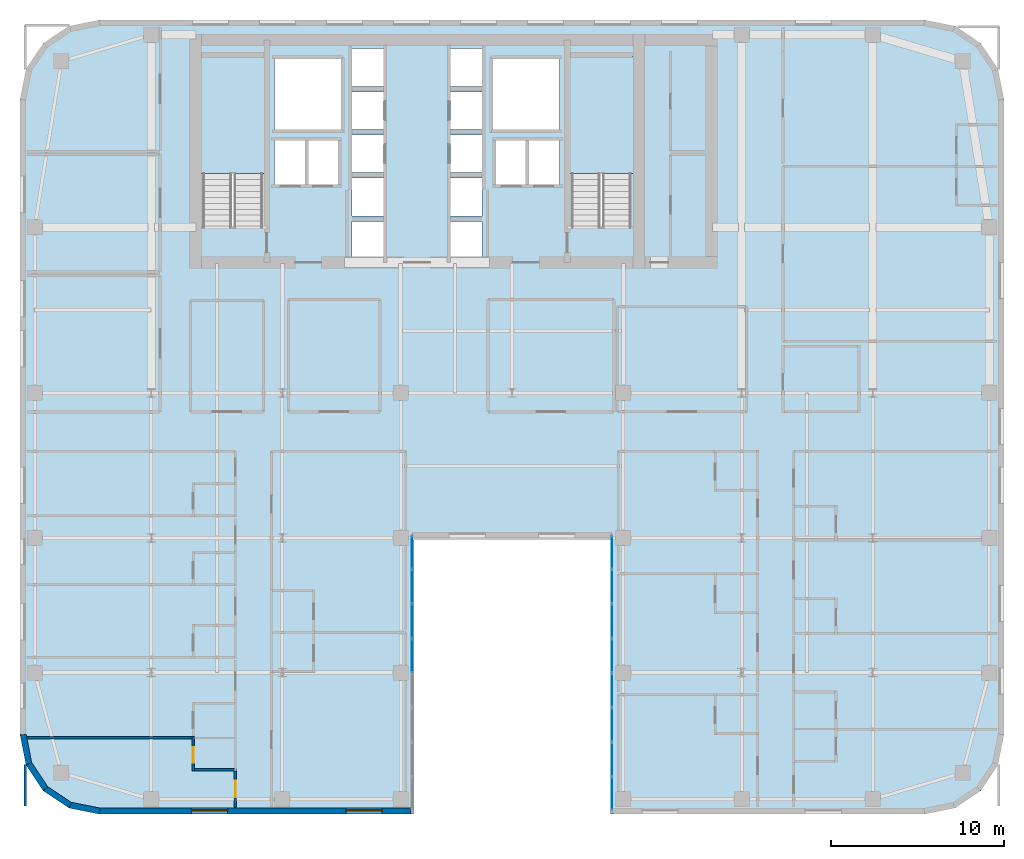
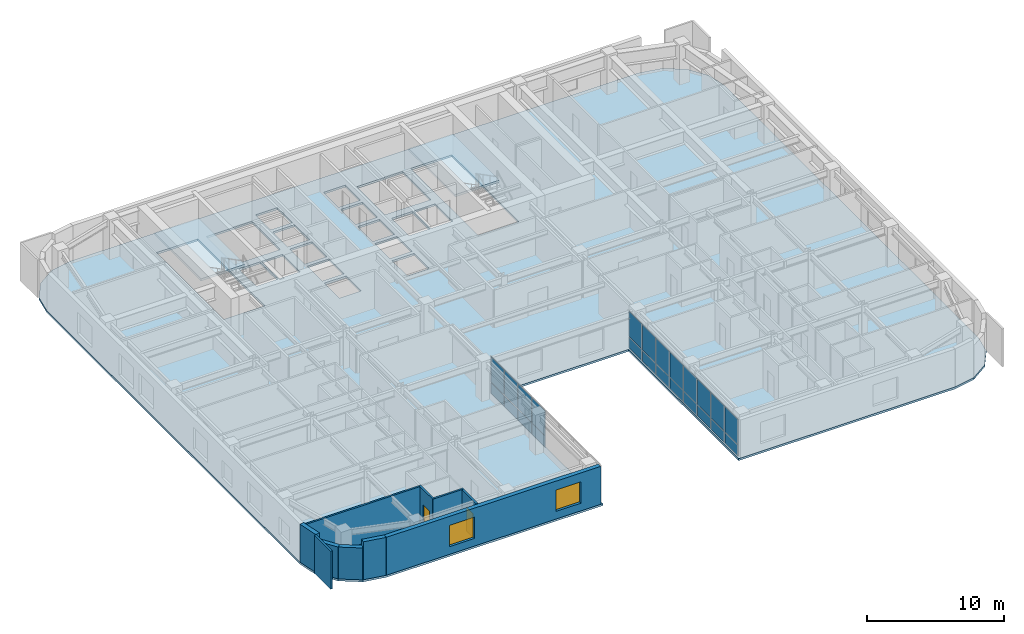
# One storey, part 9 of 17: 24 plates, 10 walls, 3 slabs, 2 doors, 2 windows, 4 openings, 4 elements without a shape of their own.
"""IFC4 building model written with IfcOpenShell, lengths in metres."""

from ifc_helpers import new_model, si_unit, direction, frame, frame_2d, origin, origin_2d, place, context, subcontext, project, spatial, polyline, rectangle, outline, extrude, source, transform, mapped, material, layer, layer_set, type_object, type_shapes, element, fill, aggregate, save


model = new_model("IFC4")

# Units and contexts
model_context = context("Model", 3, precision=1e-05, world=origin(), true_north=direction((0.0, 1.0)))
body_context = subcontext(model_context, "Body", "Model", "MODEL_VIEW")
ifc_project = project(units=[si_unit("LENGTHUNIT", "METRE"), si_unit("AREAUNIT", "SQUARE_METRE"), si_unit("VOLUMEUNIT", "CUBIC_METRE"), si_unit("PLANEANGLEUNIT", "RADIAN"), si_unit("MASSUNIT", "GRAM", prefix="KILO")], contexts=[model_context])

# Site, building, storey
site_placement = place(None, origin())
site = spatial("IfcSite", under=ifc_project, at=site_placement, CompositionType="ELEMENT")
building_placement = place(site_placement, origin())
building = spatial("IfcBuilding", under=site, at=building_placement, Name="Tolvann Quenvar Hotel", CompositionType="ELEMENT")
storey_placement = place(building_placement, frame((0.0, 0.0, 108.0)))
storey = spatial("IfcBuildingStorey", under=building, at=storey_placement, Name="L27", CompositionType="ELEMENT", Elevation=108.0)

# Stair, slab
ifc_material_1 = material(Name="Concrete N40 (40 MPa)", Category="concrete")
stair_type = type_object("IfcStairType", Name="STAIR", PredefinedType="HALF_TURN_STAIR", material=ifc_material_1)
stair_1_placement = place(storey_placement, origin())
stair_1 = element("IfcStair", 1, at=stair_1_placement, inside=storey, type_object=stair_type, Name="L27 ST-C1", PredefinedType="HALF_TURN_STAIR")
ifc_layer_1 = layer(ifc_material_1, 0.199951171875)
ifc_layer_set_1 = layer_set([ifc_layer_1], Name="Concrete N40 (40 MPa)")
slab_type_1 = type_object("IfcSlabType", Name="SLAB_LANDING", PredefinedType="LANDING", material=ifc_layer_set_1)
slab_1_placement = place(storey_placement, frame((0.0, 0.0, 1.574951171875)))
slab_1 = element("IfcSlab", 2, at=slab_1_placement, type_object=slab_type_1, Name="ST-C1 landing 1", PredefinedType="LANDING", context=body_context, shape_type="SweptSolid", body=[
    extrude(outline(polyline([(14.179931640625, 37.10498046875), (14.179931640625, 43.8798828125), (10.469970703125, 43.8798828125), (10.469970703125, 37.10498046875), (14.179931640625, 37.10498046875)])), origin(), (0.0, 0.0, 1.0), 0.199951171875),
])
aggregate(stair_1, [slab_1])

stair_2_placement = place(storey_placement, origin())
stair_2 = element("IfcStair", 3, at=stair_2_placement, inside=storey, type_object=stair_type, Name="L27 ST-C2", PredefinedType="HALF_TURN_STAIR")
slab_2_placement = place(storey_placement, frame((0.0, 0.0, 1.574951171875)))
slab_2 = element("IfcSlab", 4, at=slab_2_placement, type_object=slab_type_1, Name="ST-C2 landing 1", PredefinedType="LANDING", context=body_context, shape_type="SweptSolid", body=[
    extrude(outline(polyline([(35.530029296875, 37.10498046875), (35.530029296875, 43.8798828125), (31.820068359375, 43.8798828125), (31.820068359375, 37.10498046875), (35.530029296875, 37.10498046875)])), origin(), (0.0, 0.0, 1.0), 0.199951171875),
])
aggregate(stair_2, [slab_2])

# Slab
ifc_layer_2 = layer(ifc_material_1, 0.179931640625)
ifc_layer_set_2 = layer_set([ifc_layer_2], Name="Concrete N40 (40 MPa)")
slab_type_2 = type_object("IfcSlabType", Name="SLAB_TWR_180", PredefinedType="FLOOR", material=ifc_layer_set_2)
slab_3_placement = place(storey_placement, frame((0.0, 0.0, -0.179931640625)))
element("IfcSlab", 5, at=slab_3_placement, inside=storey, type_object=slab_type_2, Name="Level L27 Structural Floor Slab", PredefinedType="FLOOR", context=body_context, shape_type="SweptSolid", body=[
    extrude(outline(polyline([(0.0, 4.60009765625), (0.35009765625, 2.839599609375), (1.347412109375, 1.347412109375), (2.839599609375, 0.35009765625), (4.60009765625, 0.0), (22.800048828125, 0.0), (22.800048828125, 16.0), (34.199951171875, 16.0), (34.199951171875, 0.0), (52.39990234375, 0.0), (54.160400390625, 0.35009765625), (55.652587890625, 1.347412109375), (56.64990234375, 2.839599609375), (57.0, 4.60009765625), (57.0, 41.39990234375), (56.64990234375, 43.160400390625), (55.652587890625, 44.652587890625), (54.160400390625, 45.64990234375), (52.39990234375, 46.0), (4.60009765625, 46.0), (2.839599609375, 45.64990234375), (1.347412109375, 44.652587890625), (0.35009765625, 43.160400390625), (0.0, 41.39990234375), (0.0, 4.60009765625)]), holes=[polyline([(31.949951171875, 34.02490234375), (31.949951171875, 43.800048828125), (35.39990234375, 43.800048828125), (35.39990234375, 34.02490234375), (31.949951171875, 34.02490234375)]), polyline([(29.449951171875, 39.02001953125), (31.25, 39.02001953125), (31.25, 36.47998046875), (29.449951171875, 36.47998046875), (29.449951171875, 39.02001953125)]), polyline([(31.25, 43.75), (31.25, 39.64990234375), (27.39990234375, 39.64990234375), (27.39990234375, 43.75), (31.25, 43.75)]), polyline([(27.574951171875, 39.02001953125), (29.324951171875, 39.02001953125), (29.324951171875, 36.47998046875), (27.574951171875, 36.47998046875), (27.574951171875, 39.02001953125)]), polyline([(26.77001953125, 44.340087890625), (26.77001953125, 42.159912109375), (24.929931640625, 42.159912109375), (24.929931640625, 44.340087890625), (26.77001953125, 44.340087890625)]), polyline([(24.929931640625, 41.840087890625), (26.77001953125, 41.840087890625), (26.77001953125, 39.659912109375), (24.929931640625, 39.659912109375), (24.929931640625, 41.840087890625)]), polyline([(24.929931640625, 39.340087890625), (26.77001953125, 39.340087890625), (26.77001953125, 37.159912109375), (24.929931640625, 37.159912109375), (24.929931640625, 39.340087890625)]), polyline([(24.929931640625, 36.840087890625), (26.77001953125, 36.840087890625), (26.77001953125, 34.659912109375), (24.929931640625, 34.659912109375), (24.929931640625, 36.840087890625)]), polyline([(24.929931640625, 34.340087890625), (26.77001953125, 34.340087890625), (26.77001953125, 32.159912109375), (24.929931640625, 32.159912109375), (24.929931640625, 34.340087890625)]), polyline([(21.070068359375, 44.340087890625), (21.070068359375, 42.159912109375), (19.22998046875, 42.159912109375), (19.22998046875, 44.340087890625), (21.070068359375, 44.340087890625)]), polyline([(19.22998046875, 41.840087890625), (21.070068359375, 41.840087890625), (21.070068359375, 39.659912109375), (19.22998046875, 39.659912109375), (19.22998046875, 41.840087890625)]), polyline([(19.22998046875, 39.340087890625), (21.070068359375, 39.340087890625), (21.070068359375, 37.159912109375), (19.22998046875, 37.159912109375), (19.22998046875, 39.340087890625)]), polyline([(19.22998046875, 36.840087890625), (21.070068359375, 36.840087890625), (21.070068359375, 34.659912109375), (19.22998046875, 34.659912109375), (19.22998046875, 36.840087890625)]), polyline([(19.22998046875, 34.340087890625), (21.070068359375, 34.340087890625), (21.070068359375, 32.159912109375), (19.22998046875, 32.159912109375), (19.22998046875, 34.340087890625)]), polyline([(18.60009765625, 43.75), (18.60009765625, 39.64990234375), (14.75, 39.64990234375), (14.75, 43.75), (18.60009765625, 43.75)]), polyline([(16.675048828125, 39.02001953125), (18.425048828125, 39.02001953125), (18.425048828125, 36.47998046875), (16.675048828125, 36.47998046875), (16.675048828125, 39.02001953125)]), polyline([(14.75, 39.02001953125), (16.550048828125, 39.02001953125), (16.550048828125, 36.47998046875), (14.75, 36.47998046875), (14.75, 39.02001953125)]), polyline([(10.60009765625, 34.02490234375), (10.60009765625, 43.800048828125), (14.050048828125, 43.800048828125), (14.050048828125, 34.02490234375), (10.60009765625, 34.02490234375)])]), origin(), (0.0, 0.0, 1.0), 0.179931640625),
])

# Curtain wall, plate
ifc_material_2 = material(Name="Thermally broken anodised architectural aluminium 6063-T6 and laminated low-E glass", Category="aluminium")
ifc_layer_3 = layer(ifc_material_2, 0.179931640625)
ifc_layer_set_3 = layer_set([ifc_layer_3], Name="Thermally broken anodised architectural aluminium 6063-T6 and laminated low-E glass")
curtain_wall_type = type_object("IfcCurtainWallType", Name="CW_SYS_SLOT_03", PredefinedType="USERDEFINED", material=ifc_layer_set_3)
curtain_wall_1_placement = place(storey_placement, origin())
curtain_wall_1 = element("IfcCurtainWall", 6, at=curtain_wall_1_placement, inside=storey, type_object=curtain_wall_type, Name="Curtain Wall CW-SLOT-03 (CWR-L27-E05)", ObjectType="UNITISED CURTAIN WALL", PredefinedType="USERDEFINED")
ifc_material_3 = material(Name="Low-iron laminated double glazing with solar-control coating", Category="glass")
ifc_layer_4 = layer(ifc_material_3, 0.028076171875)
ifc_layer_set_4 = layer_set([ifc_layer_4], Name="Low-iron laminated double glazing with solar-control coating")
plate_type = type_object("IfcPlateType", Name="CW_PAN_VISION_28", PredefinedType="CURTAIN_PANEL", material=ifc_layer_set_4)
shared_shape_1 = source(origin(), body_context, "Body", "SweptSolid", [
    extrude(rectangle(XDim=1.89501953125, YDim=0.028076171875, at=origin_2d()), origin(), (0.0, 0.0, 1.0), 0.9599609375),
])
plate_1_placement = place(storey_placement, frame((22.7099609375, 15.157470703125, 0.06005859375), z_axis=(0.0, 0.0, 1.0), x_axis=(0.0, 1.0, 0.0)))
plate_1 = element("IfcPlate", 7, at=plate_1_placement, type_object=plate_type, Name="CW-SLOT-03 panel 8.1", PredefinedType="CURTAIN_PANEL", context=body_context, shape_type="MappedRepresentation", body=[
    mapped(shared_shape_1, transform((0.0, 0.0, 0.0), x_axis=(1.0, 0.0, 0.0), y_axis=(0.0, 1.0, 0.0), z_axis=(0.0, 0.0, 1.0), scale=1.0)),
])

# Curtain wall, plates
curtain_wall_2_placement = place(storey_placement, origin())
curtain_wall_2 = element("IfcCurtainWall", 8, at=curtain_wall_2_placement, inside=storey, type_object=curtain_wall_type, Name="Curtain Wall CW-SLOT-03 (CWR-L27-E07)", ObjectType="UNITISED CURTAIN WALL", PredefinedType="USERDEFINED")
plate_2_placement = place(storey_placement, frame((34.2900390625, 15.157470703125, 0.06005859375), z_axis=(0.0, 0.0, 1.0), x_axis=(0.0, -1.0, 0.0)))
plate_2 = element("IfcPlate", 9, at=plate_2_placement, type_object=plate_type, Name="CW-SLOT-03 panel 1.1", PredefinedType="CURTAIN_PANEL", context=body_context, shape_type="MappedRepresentation", body=[
    mapped(shared_shape_1, transform((0.0, 0.0, 0.0), x_axis=(1.0, 0.0, 0.0), y_axis=(0.0, 1.0, 0.0), z_axis=(0.0, 0.0, 1.0), scale=1.0)),
])
plate_3_placement = place(storey_placement, frame((34.2900390625, 1.1923828125, 0.06005859375), z_axis=(0.0, 0.0, 1.0), x_axis=(0.0, -1.0, 0.0)))
plate_3 = element("IfcPlate", 10, at=plate_3_placement, type_object=plate_type, Name="CW-SLOT-03 panel 8.1", PredefinedType="CURTAIN_PANEL", context=body_context, shape_type="MappedRepresentation", body=[
    mapped(shared_shape_1, transform((0.0, 0.0, 0.0), x_axis=(1.0, 0.0, 0.0), y_axis=(0.0, 1.0, 0.0), z_axis=(0.0, 0.0, 1.0), scale=1.0)),
])

# Plate
shared_shape_2 = source(origin(), body_context, "Body", "SweptSolid", [
    extrude(rectangle(XDim=1.89501953125, YDim=0.028076171875, at=origin_2d()), origin(), (0.0, 0.0, 1.0), 2.22998046875),
])
plate_4_placement = place(storey_placement, frame((22.7099609375, 15.157470703125, 1.080078125), z_axis=(0.0, 0.0, 1.0), x_axis=(0.0, 1.0, 0.0)))
plate_4 = element("IfcPlate", 11, at=plate_4_placement, type_object=plate_type, Name="CW-SLOT-03 panel 8.2", PredefinedType="CURTAIN_PANEL", context=body_context, shape_type="MappedRepresentation", body=[
    mapped(shared_shape_2, transform((0.0, 0.0, 0.0), x_axis=(1.0, 0.0, 0.0), y_axis=(0.0, 1.0, 0.0), z_axis=(0.0, 0.0, 1.0), scale=1.0)),
])

plate_5_placement = place(storey_placement, frame((34.2900390625, 15.157470703125, 1.080078125), z_axis=(0.0, 0.0, 1.0), x_axis=(0.0, -1.0, 0.0)))
plate_5 = element("IfcPlate", 12, at=plate_5_placement, type_object=plate_type, Name="CW-SLOT-03 panel 1.2", PredefinedType="CURTAIN_PANEL", context=body_context, shape_type="MappedRepresentation", body=[
    mapped(shared_shape_2, transform((0.0, 0.0, 0.0), x_axis=(1.0, 0.0, 0.0), y_axis=(0.0, 1.0, 0.0), z_axis=(0.0, 0.0, 1.0), scale=1.0)),
])

plate_6_placement = place(storey_placement, frame((34.2900390625, 1.1923828125, 1.080078125), z_axis=(0.0, 0.0, 1.0), x_axis=(0.0, -1.0, 0.0)))
plate_6 = element("IfcPlate", 13, at=plate_6_placement, type_object=plate_type, Name="CW-SLOT-03 panel 8.2", PredefinedType="CURTAIN_PANEL", context=body_context, shape_type="MappedRepresentation", body=[
    mapped(shared_shape_2, transform((0.0, 0.0, 0.0), x_axis=(1.0, 0.0, 0.0), y_axis=(0.0, 1.0, 0.0), z_axis=(0.0, 0.0, 1.0), scale=1.0)),
])

shared_shape_3 = source(origin(), body_context, "Body", "SweptSolid", [
    extrude(rectangle(XDim=1.929931640625, YDim=0.028076171875, at=origin_2d()), origin(), (0.0, 0.0, 1.0), 0.9599609375),
])
plate_7_placement = place(storey_placement, frame((22.7099609375, 9.175048828125, 0.06005859375), z_axis=(0.0, 0.0, 1.0), x_axis=(0.0, 1.0, 0.0)))
plate_7 = element("IfcPlate", 14, at=plate_7_placement, type_object=plate_type, Name="CW-SLOT-03 panel 5.1", PredefinedType="CURTAIN_PANEL", context=body_context, shape_type="MappedRepresentation", body=[
    mapped(shared_shape_3, transform((0.0, 0.0, 0.0), x_axis=(1.0, 0.0, 0.0), y_axis=(0.0, 1.0, 0.0), z_axis=(0.0, 0.0, 1.0), scale=1.0)),
])

plate_8_placement = place(storey_placement, frame((22.7099609375, 11.175048828125, 0.06005859375), z_axis=(0.0, 0.0, 1.0), x_axis=(0.0, 1.0, 0.0)))
plate_8 = element("IfcPlate", 15, at=plate_8_placement, type_object=plate_type, Name="CW-SLOT-03 panel 6.1", PredefinedType="CURTAIN_PANEL", context=body_context, shape_type="MappedRepresentation", body=[
    mapped(shared_shape_3, transform((0.0, 0.0, 0.0), x_axis=(1.0, 0.0, 0.0), y_axis=(0.0, 1.0, 0.0), z_axis=(0.0, 0.0, 1.0), scale=1.0)),
])

plate_9_placement = place(storey_placement, frame((22.7099609375, 13.175048828125, 0.06005859375), z_axis=(0.0, 0.0, 1.0), x_axis=(0.0, 1.0, 0.0)))
plate_9 = element("IfcPlate", 16, at=plate_9_placement, type_object=plate_type, Name="CW-SLOT-03 panel 7.1", PredefinedType="CURTAIN_PANEL", context=body_context, shape_type="MappedRepresentation", body=[
    mapped(shared_shape_3, transform((0.0, 0.0, 0.0), x_axis=(1.0, 0.0, 0.0), y_axis=(0.0, 1.0, 0.0), z_axis=(0.0, 0.0, 1.0), scale=1.0)),
])

plate_10_placement = place(storey_placement, frame((34.2900390625, 13.175048828125, 0.06005859375), z_axis=(0.0, 0.0, 1.0), x_axis=(0.0, -1.0, 0.0)))
plate_10 = element("IfcPlate", 17, at=plate_10_placement, type_object=plate_type, Name="CW-SLOT-03 panel 2.1", PredefinedType="CURTAIN_PANEL", context=body_context, shape_type="MappedRepresentation", body=[
    mapped(shared_shape_3, transform((0.0, 0.0, 0.0), x_axis=(1.0, 0.0, 0.0), y_axis=(0.0, 1.0, 0.0), z_axis=(0.0, 0.0, 1.0), scale=1.0)),
])

plate_11_placement = place(storey_placement, frame((34.2900390625, 11.175048828125, 0.06005859375), z_axis=(0.0, 0.0, 1.0), x_axis=(0.0, -1.0, 0.0)))
plate_11 = element("IfcPlate", 18, at=plate_11_placement, type_object=plate_type, Name="CW-SLOT-03 panel 3.1", PredefinedType="CURTAIN_PANEL", context=body_context, shape_type="MappedRepresentation", body=[
    mapped(shared_shape_3, transform((0.0, 0.0, 0.0), x_axis=(1.0, 0.0, 0.0), y_axis=(0.0, 1.0, 0.0), z_axis=(0.0, 0.0, 1.0), scale=1.0)),
])

plate_12_placement = place(storey_placement, frame((34.2900390625, 9.175048828125, 0.06005859375), z_axis=(0.0, 0.0, 1.0), x_axis=(0.0, -1.0, 0.0)))
plate_12 = element("IfcPlate", 19, at=plate_12_placement, type_object=plate_type, Name="CW-SLOT-03 panel 4.1", PredefinedType="CURTAIN_PANEL", context=body_context, shape_type="MappedRepresentation", body=[
    mapped(shared_shape_3, transform((0.0, 0.0, 0.0), x_axis=(1.0, 0.0, 0.0), y_axis=(0.0, 1.0, 0.0), z_axis=(0.0, 0.0, 1.0), scale=1.0)),
])

plate_13_placement = place(storey_placement, frame((34.2900390625, 7.175048828125, 0.06005859375), z_axis=(0.0, 0.0, 1.0), x_axis=(0.0, -1.0, 0.0)))
plate_13 = element("IfcPlate", 20, at=plate_13_placement, type_object=plate_type, Name="CW-SLOT-03 panel 5.1", PredefinedType="CURTAIN_PANEL", context=body_context, shape_type="MappedRepresentation", body=[
    mapped(shared_shape_3, transform((0.0, 0.0, 0.0), x_axis=(1.0, 0.0, 0.0), y_axis=(0.0, 1.0, 0.0), z_axis=(0.0, 0.0, 1.0), scale=1.0)),
])

plate_14_placement = place(storey_placement, frame((34.2900390625, 5.175048828125, 0.06005859375), z_axis=(0.0, 0.0, 1.0), x_axis=(0.0, -1.0, 0.0)))
plate_14 = element("IfcPlate", 21, at=plate_14_placement, type_object=plate_type, Name="CW-SLOT-03 panel 6.1", PredefinedType="CURTAIN_PANEL", context=body_context, shape_type="MappedRepresentation", body=[
    mapped(shared_shape_3, transform((0.0, 0.0, 0.0), x_axis=(1.0, 0.0, 0.0), y_axis=(0.0, 1.0, 0.0), z_axis=(0.0, 0.0, 1.0), scale=1.0)),
])

plate_15_placement = place(storey_placement, frame((34.2900390625, 3.175048828125, 0.06005859375), z_axis=(0.0, 0.0, 1.0), x_axis=(0.0, -1.0, 0.0)))
plate_15 = element("IfcPlate", 22, at=plate_15_placement, type_object=plate_type, Name="CW-SLOT-03 panel 7.1", PredefinedType="CURTAIN_PANEL", context=body_context, shape_type="MappedRepresentation", body=[
    mapped(shared_shape_3, transform((0.0, 0.0, 0.0), x_axis=(1.0, 0.0, 0.0), y_axis=(0.0, 1.0, 0.0), z_axis=(0.0, 0.0, 1.0), scale=1.0)),
])

shared_shape_4 = source(origin(), body_context, "Body", "SweptSolid", [
    extrude(rectangle(XDim=1.929931640625, YDim=0.028076171875, at=origin_2d()), origin(), (0.0, 0.0, 1.0), 2.22998046875),
])
type_shapes(plate_type, [shared_shape_1, shared_shape_2, shared_shape_3, shared_shape_4])
plate_16_placement = place(storey_placement, frame((22.7099609375, 9.175048828125, 1.080078125), z_axis=(0.0, 0.0, 1.0), x_axis=(0.0, 1.0, 0.0)))
plate_16 = element("IfcPlate", 23, at=plate_16_placement, type_object=plate_type, Name="CW-SLOT-03 panel 5.2", PredefinedType="CURTAIN_PANEL", context=body_context, shape_type="MappedRepresentation", body=[
    mapped(shared_shape_4, transform((0.0, 0.0, 0.0), x_axis=(1.0, 0.0, 0.0), y_axis=(0.0, 1.0, 0.0), z_axis=(0.0, 0.0, 1.0), scale=1.0)),
])

plate_17_placement = place(storey_placement, frame((22.7099609375, 11.175048828125, 1.080078125), z_axis=(0.0, 0.0, 1.0), x_axis=(0.0, 1.0, 0.0)))
plate_17 = element("IfcPlate", 24, at=plate_17_placement, type_object=plate_type, Name="CW-SLOT-03 panel 6.2", PredefinedType="CURTAIN_PANEL", context=body_context, shape_type="MappedRepresentation", body=[
    mapped(shared_shape_4, transform((0.0, 0.0, 0.0), x_axis=(1.0, 0.0, 0.0), y_axis=(0.0, 1.0, 0.0), z_axis=(0.0, 0.0, 1.0), scale=1.0)),
])

plate_18_placement = place(storey_placement, frame((22.7099609375, 13.175048828125, 1.080078125), z_axis=(0.0, 0.0, 1.0), x_axis=(0.0, 1.0, 0.0)))
plate_18 = element("IfcPlate", 25, at=plate_18_placement, type_object=plate_type, Name="CW-SLOT-03 panel 7.2", PredefinedType="CURTAIN_PANEL", context=body_context, shape_type="MappedRepresentation", body=[
    mapped(shared_shape_4, transform((0.0, 0.0, 0.0), x_axis=(1.0, 0.0, 0.0), y_axis=(0.0, 1.0, 0.0), z_axis=(0.0, 0.0, 1.0), scale=1.0)),
])

aggregate(curtain_wall_1, [plate_7, plate_16, plate_8, plate_17, plate_9, plate_18, plate_1, plate_4])

plate_19_placement = place(storey_placement, frame((34.2900390625, 13.175048828125, 1.080078125), z_axis=(0.0, 0.0, 1.0), x_axis=(0.0, -1.0, 0.0)))
plate_19 = element("IfcPlate", 26, at=plate_19_placement, type_object=plate_type, Name="CW-SLOT-03 panel 2.2", PredefinedType="CURTAIN_PANEL", context=body_context, shape_type="MappedRepresentation", body=[
    mapped(shared_shape_4, transform((0.0, 0.0, 0.0), x_axis=(1.0, 0.0, 0.0), y_axis=(0.0, 1.0, 0.0), z_axis=(0.0, 0.0, 1.0), scale=1.0)),
])

plate_20_placement = place(storey_placement, frame((34.2900390625, 11.175048828125, 1.080078125), z_axis=(0.0, 0.0, 1.0), x_axis=(0.0, -1.0, 0.0)))
plate_20 = element("IfcPlate", 27, at=plate_20_placement, type_object=plate_type, Name="CW-SLOT-03 panel 3.2", PredefinedType="CURTAIN_PANEL", context=body_context, shape_type="MappedRepresentation", body=[
    mapped(shared_shape_4, transform((0.0, 0.0, 0.0), x_axis=(1.0, 0.0, 0.0), y_axis=(0.0, 1.0, 0.0), z_axis=(0.0, 0.0, 1.0), scale=1.0)),
])

plate_21_placement = place(storey_placement, frame((34.2900390625, 9.175048828125, 1.080078125), z_axis=(0.0, 0.0, 1.0), x_axis=(0.0, -1.0, 0.0)))
plate_21 = element("IfcPlate", 28, at=plate_21_placement, type_object=plate_type, Name="CW-SLOT-03 panel 4.2", PredefinedType="CURTAIN_PANEL", context=body_context, shape_type="MappedRepresentation", body=[
    mapped(shared_shape_4, transform((0.0, 0.0, 0.0), x_axis=(1.0, 0.0, 0.0), y_axis=(0.0, 1.0, 0.0), z_axis=(0.0, 0.0, 1.0), scale=1.0)),
])

plate_22_placement = place(storey_placement, frame((34.2900390625, 7.175048828125, 1.080078125), z_axis=(0.0, 0.0, 1.0), x_axis=(0.0, -1.0, 0.0)))
plate_22 = element("IfcPlate", 29, at=plate_22_placement, type_object=plate_type, Name="CW-SLOT-03 panel 5.2", PredefinedType="CURTAIN_PANEL", context=body_context, shape_type="MappedRepresentation", body=[
    mapped(shared_shape_4, transform((0.0, 0.0, 0.0), x_axis=(1.0, 0.0, 0.0), y_axis=(0.0, 1.0, 0.0), z_axis=(0.0, 0.0, 1.0), scale=1.0)),
])

plate_23_placement = place(storey_placement, frame((34.2900390625, 5.175048828125, 1.080078125), z_axis=(0.0, 0.0, 1.0), x_axis=(0.0, -1.0, 0.0)))
plate_23 = element("IfcPlate", 30, at=plate_23_placement, type_object=plate_type, Name="CW-SLOT-03 panel 6.2", PredefinedType="CURTAIN_PANEL", context=body_context, shape_type="MappedRepresentation", body=[
    mapped(shared_shape_4, transform((0.0, 0.0, 0.0), x_axis=(1.0, 0.0, 0.0), y_axis=(0.0, 1.0, 0.0), z_axis=(0.0, 0.0, 1.0), scale=1.0)),
])

plate_24_placement = place(storey_placement, frame((34.2900390625, 3.175048828125, 1.080078125), z_axis=(0.0, 0.0, 1.0), x_axis=(0.0, -1.0, 0.0)))
plate_24 = element("IfcPlate", 31, at=plate_24_placement, type_object=plate_type, Name="CW-SLOT-03 panel 7.2", PredefinedType="CURTAIN_PANEL", context=body_context, shape_type="MappedRepresentation", body=[
    mapped(shared_shape_4, transform((0.0, 0.0, 0.0), x_axis=(1.0, 0.0, 0.0), y_axis=(0.0, 1.0, 0.0), z_axis=(0.0, 0.0, 1.0), scale=1.0)),
])

aggregate(curtain_wall_2, [plate_2, plate_5, plate_10, plate_19, plate_11, plate_20, plate_12, plate_21, plate_13, plate_22, plate_14, plate_23, plate_15, plate_24, plate_3, plate_6])

# Walls
ifc_material_4 = material(Name="Kiln-fired red and buff architectural clay brickwork and terracotta masonry", Category="masonry")
ifc_layer_5 = layer(ifc_material_4, 0.35009765625)
ifc_layer_set_5 = layer_set([ifc_layer_5], Name="Kiln-fired red and buff architectural clay brickwork and terracotta masonry")
wall_type_1 = type_object("IfcWallType", Name="WALL_EXT_BRICK_350", PredefinedType="SOLIDWALL", material=ifc_layer_set_5)
for number, where, z_axis, x_axis, name in (
    (32, (0.514892578125, 2.907958984375, 0.0), (0.0, 0.0, 1.0), (0.55554893791, -0.831483840845, 0.0), "Exterior Chicago Brick Wall L27-E01"),
    (33, (1.473388671875, 1.473388671875, 0.0), (0.0, 0.0, 1.0), (0.831483840845, -0.55554893791, 0.0), "Exterior Chicago Brick Wall L27-E02"),
):
    element("IfcWall", number, at=place(storey_placement, frame(where, z_axis=z_axis, x_axis=x_axis)), inside=storey, type_object=wall_type_1, Name=name, PredefinedType="SOLIDWALL", context=body_context, shape_type="SweptSolid", body=[
        extrude(rectangle(XDim=1.725341796875, YDim=0.35009765625, at=frame_2d((0.86279296875, 0.0))), origin(), (0.0, 0.0, 1.0), 2.83203125),
    ])
wall_1_placement = place(storey_placement, frame((2.907958984375, 0.514892578125, 0.0), z_axis=(0.0, 0.0, 1.0), x_axis=(0.980800971659, -0.195011420161, 0.0)))
element("IfcWall", 34, at=wall_1_placement, inside=storey, type_object=wall_type_1, Name="Exterior Chicago Brick Wall L27-E03", PredefinedType="SOLIDWALL", context=body_context, shape_type="SweptSolid", body=[
    extrude(rectangle(XDim=1.74267578125, YDim=0.35009765625, at=frame_2d((0.871337890625, 0.0))), origin(), (0.0, 0.0, 1.0), 3.3701171875),
])

# Wall, openings, windows
wall_2_placement = place(storey_placement, frame((4.6171875, 0.175048828125, 0.0), z_axis=(0.0, 0.0, 1.0), x_axis=(1.0, 0.0, 0.0)))
wall_2 = element("IfcWall", 35, at=wall_2_placement, inside=storey, type_object=wall_type_1, Name="Exterior Chicago Brick Wall L27-E04", PredefinedType="SOLIDWALL", context=body_context, shape_type="SweptSolid", body=[
    extrude(rectangle(XDim=18.0078125, YDim=0.35009765625, at=frame_2d((9.00390625, 0.0))), origin(), (0.0, 0.0, 1.0), 3.3701171875),
])
opening_1_placement = place(wall_2_placement, frame((5.302978515625, 0.0, 0.679931640625)))
opening_1 = element("IfcOpeningElement", 36, at=opening_1_placement, cuts=wall_2, Name="Opening W-02", PredefinedType="OPENING", context=body_context, shape_type="SweptSolid", body=[
    extrude(rectangle(XDim=2.10009765625, YDim=1.89990234375, at=frame_2d((1.050048828125, 0.949951171875))), frame((0.0, 0.18505859375, 0.0), z_axis=(0.0, -1.0, 0.0), x_axis=(1.0, 0.0, 0.0)), (0.0, 0.0, 1.0), 0.3701171875),
])
opening_2_placement = place(wall_2_placement, frame((14.257080078125, 0.0, 0.679931640625)))
opening_2 = element("IfcOpeningElement", 37, at=opening_2_placement, cuts=wall_2, Name="Opening W-02", PredefinedType="OPENING", context=body_context, shape_type="SweptSolid", body=[
    extrude(rectangle(XDim=2.10009765625, YDim=1.89990234375, at=frame_2d((1.050048828125, 0.949951171875))), frame((0.0, 0.18505859375, 0.0), z_axis=(0.0, -1.0, 0.0), x_axis=(1.0, 0.0, 0.0)), (0.0, 0.0, 1.0), 0.3701171875),
])
ifc_material_5 = material(Name="Thermally broken bronze-anodised aluminium frame with double low-E glazing", Category="aluminium")
window_type = type_object("IfcWindowType", Name="WIN_CHI_2100x2050", PartitioningType="TRIPLE_PANEL_HORIZONTAL", PredefinedType="WINDOW", material=ifc_material_5)
shared_shape_5 = source(origin(), body_context, "Body", "SweptSolid", [
    extrude(rectangle(XDim=2.10009765625, YDim=1.89990234375, at=frame_2d((1.050048828125, 0.949951171875))), frame((0.0, 0.090087890625, 0.0), z_axis=(0.0, -1.0, 0.0), x_axis=(1.0, 0.0, 0.0)), (0.0, 0.0, 1.0), 0.06005859375),
])
type_shapes(window_type, [shared_shape_5])
window_1_placement = place(opening_1_placement, origin())
window_1 = element("IfcWindow", 38, at=window_1_placement, inside=storey, type_object=window_type, Name="Chicago Window W-02 (EW-L27-E04-W01)", OverallHeight=1.89990234375, OverallWidth=2.10009765625, PartitioningType="TRIPLE_PANEL_HORIZONTAL", PredefinedType="WINDOW", context=body_context, shape_type="MappedRepresentation", body=[
    mapped(shared_shape_5, transform((0.0, 0.0, 0.0), x_axis=(1.0, 0.0, 0.0), y_axis=(0.0, 1.0, 0.0), z_axis=(0.0, 0.0, 1.0), scale=1.0)),
])
fill(opening_1, window_1)
window_2_placement = place(opening_2_placement, origin())
window_2 = element("IfcWindow", 39, at=window_2_placement, inside=storey, type_object=window_type, Name="Chicago Window W-02 (EW-L27-E04-W02)", OverallHeight=1.89990234375, OverallWidth=2.10009765625, PartitioningType="TRIPLE_PANEL_HORIZONTAL", PredefinedType="WINDOW", context=body_context, shape_type="MappedRepresentation", body=[
    mapped(shared_shape_5, transform((0.0, 0.0, 0.0), x_axis=(1.0, 0.0, 0.0), y_axis=(0.0, 1.0, 0.0), z_axis=(0.0, 0.0, 1.0), scale=1.0)),
])
fill(opening_2, window_2)

# Wall
wall_3_placement = place(storey_placement, frame((0.175048828125, 4.6171875, 0.0), z_axis=(0.0, 0.0, 1.0), x_axis=(0.195011420161, -0.980800971659, 0.0)))
element("IfcWall", 40, at=wall_3_placement, inside=storey, type_object=wall_type_1, Name="Exterior Chicago Brick Wall L27-E24", PredefinedType="SOLIDWALL", context=body_context, shape_type="SweptSolid", body=[
    extrude(rectangle(XDim=1.74267578125, YDim=0.35009765625, at=frame_2d((0.871337890625, 0.0))), origin(), (0.0, 0.0, 1.0), 3.3701171875),
])

# Wall, opening, door
ifc_material_6 = material(Name="Acoustic twin-stud fire-rated gypsum plasterboard partition")
ifc_layer_6 = layer(ifc_material_6, 0.14990234375)
ifc_layer_set_6 = layer_set([ifc_layer_6], Name="Acoustic twin-stud fire-rated gypsum plasterboard partition")
wall_type_2 = type_object("IfcWallType", Name="WALL_PART_SUITE_150", PredefinedType="PARTITIONING", material=ifc_layer_set_6)
wall_4_placement = place(storey_placement, frame((10.030029296875, 2.5, 0.0), z_axis=(0.0, 0.0, 1.0), x_axis=(0.0, 1.0, 0.0)))
wall_4 = element("IfcWall", 41, at=wall_4_placement, inside=storey, type_object=wall_type_2, Name="Interior Partition PT-SPC-L27-ENS-WO01-ENT", PredefinedType="PARTITIONING", context=body_context, shape_type="SweptSolid", body=[
    extrude(rectangle(XDim=1.989990234375, YDim=0.14990234375, at=frame_2d((0.9951171875, 0.0))), origin(), (0.0, 0.0, 1.0), 3.3701171875),
])
opening_3_placement = place(wall_4_placement, frame((0.465087890625, 0.0, 0.0)))
opening_3 = element("IfcOpeningElement", 42, at=opening_3_placement, cuts=wall_4, Name="Opening WD-01", PredefinedType="OPENING", context=body_context, shape_type="SweptSolid", body=[
    extrude(rectangle(XDim=0.919921875, YDim=2.010009765625, at=frame_2d((0.4599609375, 1.0048828125))), frame((0.0, 0.0849609375, 0.0), z_axis=(0.0, -1.0, 0.0), x_axis=(1.0, 0.0, 0.0)), (0.0, 0.0, 1.0), 0.169921875),
])
ifc_material_7 = material(Name="Solid-core American oak acoustic fire door leaf in steel frame", Category="steel")
door_type_1 = type_object("IfcDoorType", Name="DOOR_WC_920", OperationType="NOTDEFINED", PredefinedType="DOOR", material=ifc_material_7)
shared_shape_6 = source(origin(), body_context, "Body", "SweptSolid", [
    extrude(rectangle(XDim=0.919921875, YDim=2.010009765625, at=frame_2d((0.4599609375, 1.0048828125))), frame((0.0, 0.02490234375, 0.0), z_axis=(0.0, -1.0, 0.0), x_axis=(1.0, 0.0, 0.0)), (0.0, 0.0, 1.0), 0.050048828125),
])
type_shapes(door_type_1, [shared_shape_6])
door_1_placement = place(opening_3_placement, origin())
door_1 = element("IfcDoor", 43, at=door_1_placement, inside=storey, type_object=door_type_1, Name="Interior Door DOOR-SPC-L27-ENS-WO01", OperationType="SINGLE_SWING_RIGHT", OverallHeight=2.010009765625, OverallWidth=0.919921875, PredefinedType="DOOR", context=body_context, shape_type="MappedRepresentation", body=[
    mapped(shared_shape_6, transform((0.0, 0.0, 0.0), x_axis=(1.0, 0.0, 0.0), y_axis=(0.0, 1.0, 0.0), z_axis=(0.0, 0.0, 1.0), scale=1.0)),
])
fill(opening_3, door_1)

# Wall
wall_5_placement = place(storey_placement, frame((9.9599609375, 2.570068359375, 0.0), z_axis=(0.0, 0.0, 1.0), x_axis=(1.0, 0.0, 0.0)))
element("IfcWall", 44, at=wall_5_placement, inside=storey, type_object=wall_type_2, Name="Interior Partition PT-SPC-L27-ENS-WO01-S", PredefinedType="PARTITIONING", context=body_context, shape_type="SweptSolid", body=[
    extrude(rectangle(XDim=2.590087890625, YDim=0.14990234375, at=frame_2d((1.294921875, 0.0))), origin(), (0.0, 0.0, 1.0), 3.3701171875),
])

# Wall, opening, door
wall_6_placement = place(storey_placement, frame((12.47998046875, 0.405029296875, 0.0), z_axis=(0.0, 0.0, 1.0), x_axis=(0.0, 1.0, 0.0)))
wall_6 = element("IfcWall", 45, at=wall_6_placement, inside=storey, type_object=wall_type_2, Name="Interior Partition PT-SPC-L27-RM-WO01-ENT", PredefinedType="PARTITIONING", context=body_context, shape_type="SweptSolid", body=[
    extrude(rectangle(XDim=2.0849609375, YDim=0.14990234375, at=frame_2d((1.04248046875, 0.0))), origin(), (0.0, 0.0, 1.0), 3.3701171875),
])
opening_4_placement = place(wall_6_placement, frame((0.56005859375, 0.0, 0.0)))
opening_4 = element("IfcOpeningElement", 46, at=opening_4_placement, cuts=wall_6, Name="Opening SD-01", PredefinedType="OPENING", context=body_context, shape_type="SweptSolid", body=[
    extrude(rectangle(XDim=0.97998046875, YDim=2.1201171875, at=frame_2d((0.489990234375, 1.06005859375))), frame((0.0, 0.0849609375, 0.0), z_axis=(0.0, -1.0, 0.0), x_axis=(1.0, 0.0, 0.0)), (0.0, 0.0, 1.0), 0.169921875),
])
door_type_2 = type_object("IfcDoorType", Name="DOOR_SUITE_980", OperationType="NOTDEFINED", PredefinedType="DOOR", material=ifc_material_7)
shared_shape_7 = source(origin(), body_context, "Body", "SweptSolid", [
    extrude(rectangle(XDim=0.97998046875, YDim=2.1201171875, at=frame_2d((0.489990234375, 1.06005859375))), frame((0.0, 0.02490234375, 0.0), z_axis=(0.0, -1.0, 0.0), x_axis=(1.0, 0.0, 0.0)), (0.0, 0.0, 1.0), 0.050048828125),
])
type_shapes(door_type_2, [shared_shape_7])
door_2_placement = place(opening_4_placement, origin())
door_2 = element("IfcDoor", 47, at=door_2_placement, inside=storey, type_object=door_type_2, Name="Interior Door DOOR-SPC-L27-RM-WO01", OperationType="SINGLE_SWING_RIGHT", OverallHeight=2.1201171875, OverallWidth=0.97998046875, PredefinedType="DOOR", context=body_context, shape_type="MappedRepresentation", body=[
    mapped(shared_shape_7, transform((0.0, 0.0, 0.0), x_axis=(1.0, 0.0, 0.0), y_axis=(0.0, 1.0, 0.0), z_axis=(0.0, 0.0, 1.0), scale=1.0)),
])
fill(opening_4, door_2)

# Walls
wall_7_placement = place(storey_placement, frame((0.4169921875, 4.419921875, 0.0), z_axis=(0.0, 0.0, 1.0), x_axis=(1.0, 0.0, 0.0)))
element("IfcWall", 48, at=wall_7_placement, inside=storey, type_object=wall_type_2, Name="Interior Partition PT-SPC-L27-RM-WO01-E5", PredefinedType="PARTITIONING", context=body_context, shape_type="SweptSolid", body=[
    extrude(rectangle(XDim=9.532958984375, YDim=0.14990234375, at=frame_2d((4.7666015625, 0.0))), origin(), (0.0, 0.0, 1.0), 3.3701171875),
])
wall_8_placement = place(storey_placement, frame((0.300048828125, 0.47998046875, 0.0), z_axis=(0.0, 0.0, 1.0), x_axis=(0.0, 1.0, 0.0)))
element("IfcWall", 49, at=wall_8_placement, inside=storey, type_object=wall_type_2, Name="Interior Partition PT-SPC-L27-RM-WO01-E6", PredefinedType="PARTITIONING", context=body_context, shape_type="SweptSolid", body=[
    extrude(rectangle(XDim=2.385009765625, YDim=0.14990234375, at=frame_2d((1.1923828125, 0.0))), origin(), (0.0, 0.0, 1.0), 3.3701171875),
])

save(model, "model.ifc")
